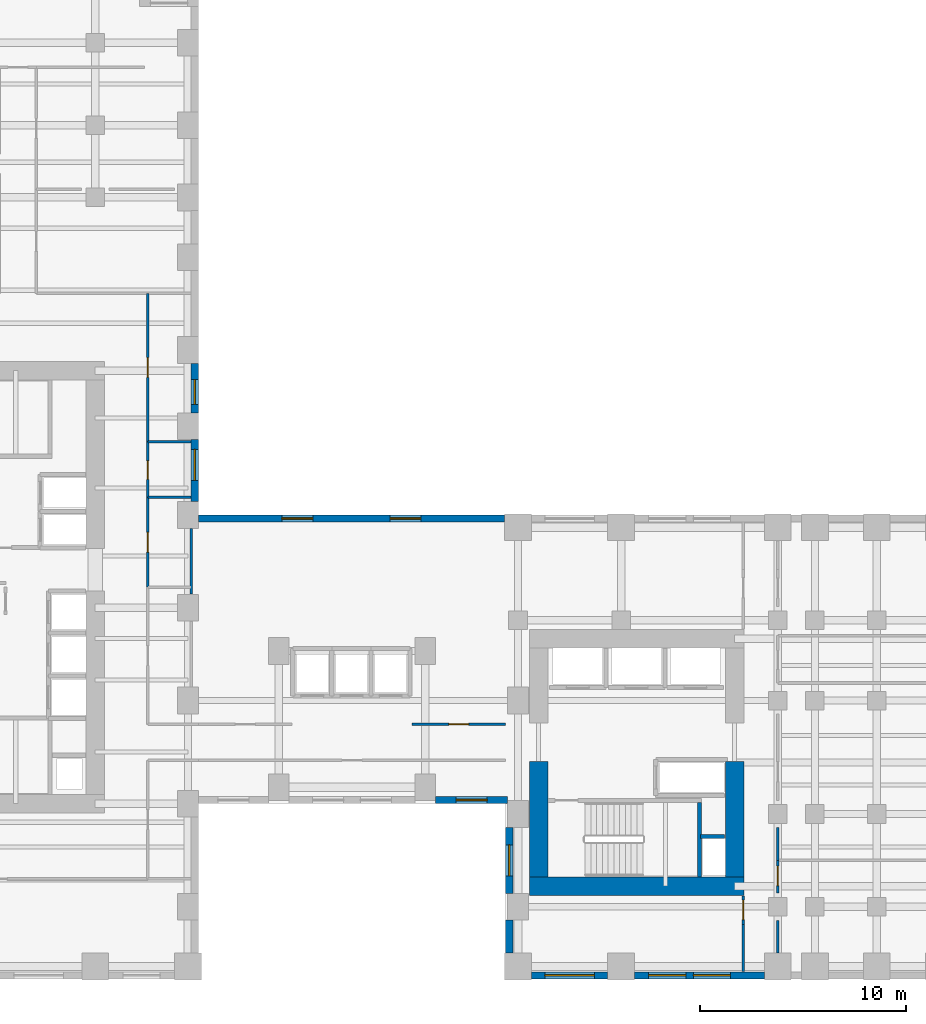
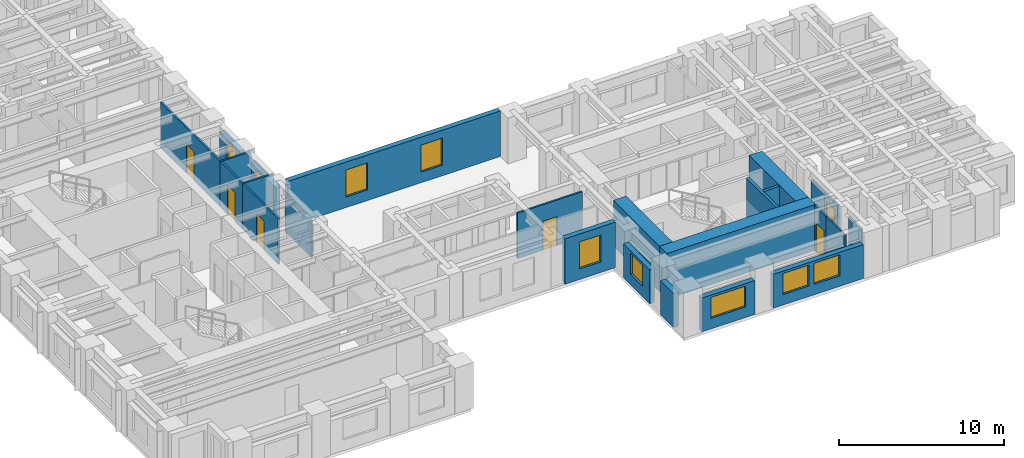
# One storey, part 6 of 11: 25 walls, 9 windows, 6 doors, 15 openings.
"""IFC4 building model written with IfcOpenShell, lengths in metres."""

from ifc_helpers import new_model, si_unit, direction, frame, frame_2d, origin, place, context, subcontext, project, spatial, rectangle, extrude, source, transform, mapped, material, layer, layer_set, type_object, element, fill, save


model = new_model("IFC4")

# Units and contexts
model_context = context("Model", 3, precision=1e-05, world=origin(), true_north=direction((0.0, 1.0)))
body_context = subcontext(model_context, "Body", "Model", "MODEL_VIEW")
ifc_project = project(units=[si_unit("LENGTHUNIT", "METRE"), si_unit("AREAUNIT", "SQUARE_METRE"), si_unit("VOLUMEUNIT", "CUBIC_METRE"), si_unit("PLANEANGLEUNIT", "RADIAN"), si_unit("MASSUNIT", "GRAM", prefix="KILO")], contexts=[model_context])

# Site, building, storey
site_placement = place(None, origin())
site = spatial("IfcSite", under=ifc_project, at=site_placement, CompositionType="ELEMENT")
building_placement = place(site_placement, origin())
building = spatial("IfcBuilding", under=site, at=building_placement, Name="Kharzan Plaza Tower", CompositionType="ELEMENT")
storey_placement = place(building_placement, frame((0.0, 0.0, 54.89990234375)))
storey = spatial("IfcBuildingStorey", under=building, at=storey_placement, Name="L14", CompositionType="ELEMENT", Elevation=54.89990234375)

# Wall, opening, window
ifc_material_1 = material(Name="Concrete C40/50", Category="concrete")
ifc_layer_1 = layer(ifc_material_1, 0.35009765625)
ifc_layer_set_1 = layer_set([ifc_layer_1], Name="Concrete C40/50")
wall_type_1 = type_object("IfcWallType", Name="WL-EXT-MAS-Z1", PredefinedType="SOLIDWALL", material=ifc_layer_set_1)
wall_1_placement = place(storey_placement, frame((30.998046875, 8.675048828125, 0.0), z_axis=(0.0, 0.0, 1.0), x_axis=(1.0, 0.0, 0.0)))
wall_1 = element("IfcWall", 1, at=wall_1_placement, inside=storey, type_object=wall_type_1, Name="L14 Masonry-Frame Exterior Wall 30", PredefinedType="SOLIDWALL", context=body_context, shape_type="SweptSolid", body=[
    extrude(rectangle(XDim=3.50390625, YDim=0.35009765625, at=frame_2d((1.751953125, 0.0))), origin(), (0.0, 0.0, 1.0), 3.364990234375),
])
opening_1_placement = place(wall_1_placement, frame((1.001953125, 0.0, 0.780029296875)))
opening_1 = element("IfcOpeningElement", 2, at=opening_1_placement, cuts=wall_1, Name="Opening W5", PredefinedType="OPENING", context=body_context, shape_type="SweptSolid", body=[
    extrude(rectangle(XDim=1.5, YDim=2.0, at=frame_2d((0.75, 1.0))), frame((0.0, 0.18505859375, 0.0), z_axis=(0.0, -1.0, 0.0), x_axis=(1.0, 0.0, 0.0)), (0.0, 0.0, 1.0), 0.3701171875),
])
ifc_material_2 = material(Name="Low-E Double Glazing", Category="glass")
window_type_1 = type_object("IfcWindowType", Name="WN-SLT-1500x2000", PartitioningType="SINGLE_PANEL", PredefinedType="WINDOW", material=ifc_material_2)
shared_shape_1 = source(origin(), body_context, "Body", "SweptSolid", [
    extrude(rectangle(XDim=1.5, YDim=2.0, at=frame_2d((0.75, 1.0))), frame((0.0, 0.030029296875, 0.0), z_axis=(0.0, -1.0, 0.0), x_axis=(1.0, 0.0, 0.0)), (0.0, 0.0, 1.0), 0.06005859375),
])
window_1_placement = place(opening_1_placement, origin())
window_1 = element("IfcWindow", 3, at=window_1_placement, inside=storey, type_object=window_type_1, Name="L14 Recessed Solar-Control Window 30-1", OverallHeight=2.0, OverallWidth=1.5, PartitioningType="SINGLE_PANEL", PredefinedType="WINDOW", context=body_context, shape_type="MappedRepresentation", body=[
    mapped(shared_shape_1, transform((0.0, 0.0, 0.0), x_axis=(1.0, 0.0, 0.0), y_axis=(0.0, 1.0, 0.0), z_axis=(0.0, 0.0, 1.0))),
])
fill(opening_1, window_1)

wall_2_placement = place(storey_placement, frame((34.574951171875, 7.35205078125, 0.0), z_axis=(0.0, 0.0, 1.0), x_axis=(0.0, -1.0, 0.0)))
wall_2 = element("IfcWall", 4, at=wall_2_placement, inside=storey, type_object=wall_type_1, Name="L14 Masonry-Frame Exterior Wall 31", PredefinedType="SOLIDWALL", context=body_context, shape_type="SweptSolid", body=[
    extrude(rectangle(XDim=3.2041015625, YDim=0.35009765625, at=frame_2d((1.60205078125, 0.0))), origin(), (0.0, 0.0, 1.0), 2.510009765625),
])
opening_2_placement = place(wall_2_placement, frame((0.85205078125, 0.0, 0.780029296875)))
opening_2 = element("IfcOpeningElement", 5, at=opening_2_placement, cuts=wall_2, Name="Opening W5", PredefinedType="OPENING", context=body_context, shape_type="SweptSolid", body=[
    extrude(rectangle(XDim=1.5, YDim=1.550048828125, at=frame_2d((0.75, 0.77490234375))), frame((0.0, 0.18505859375, 0.0), z_axis=(0.0, -1.0, 0.0), x_axis=(1.0, 0.0, 0.0)), (0.0, 0.0, 1.0), 0.3701171875),
])
shared_shape_2 = source(origin(), body_context, "Body", "SweptSolid", [
    extrude(rectangle(XDim=1.5, YDim=1.550048828125, at=frame_2d((0.75, 0.77490234375))), frame((0.0, 0.030029296875, 0.0), z_axis=(0.0, -1.0, 0.0), x_axis=(1.0, 0.0, 0.0)), (0.0, 0.0, 1.0), 0.06005859375),
])
window_2_placement = place(opening_2_placement, origin())
window_2 = element("IfcWindow", 6, at=window_2_placement, inside=storey, type_object=window_type_1, Name="L14 Recessed Solar-Control Window 31-1", OverallHeight=1.550048828125, OverallWidth=1.5, PartitioningType="SINGLE_PANEL", PredefinedType="WINDOW", context=body_context, shape_type="MappedRepresentation", body=[
    mapped(shared_shape_2, transform((0.0, 0.0, 0.0), x_axis=(1.0, 0.0, 0.0), y_axis=(0.0, 1.0, 0.0), z_axis=(0.0, 0.0, 1.0))),
])
fill(opening_2, window_2)

wall_3_placement = place(storey_placement, frame((35.64794921875, 0.175048828125, 0.0), z_axis=(0.0, 0.0, 1.0), x_axis=(1.0, 0.0, 0.0)))
wall_3 = element("IfcWall", 7, at=wall_3_placement, inside=storey, type_object=wall_type_1, Name="L14 Masonry-Frame Exterior Wall 33", PredefinedType="SOLIDWALL", context=body_context, shape_type="SweptSolid", body=[
    extrude(rectangle(XDim=3.7041015625, YDim=0.35009765625, at=frame_2d((1.85205078125, 0.0))), origin(), (0.0, 0.0, 1.0), 2.510009765625),
])
opening_3_placement = place(wall_3_placement, frame((0.652099609375, 0.0, 0.780029296875)))
opening_3 = element("IfcOpeningElement", 8, at=opening_3_placement, cuts=wall_3, Name="Opening W2", PredefinedType="OPENING", context=body_context, shape_type="SweptSolid", body=[
    extrude(rectangle(XDim=2.39990234375, YDim=1.550048828125, at=frame_2d((1.199951171875, 0.77490234375))), frame((0.0, 0.18505859375, 0.0), z_axis=(0.0, -1.0, 0.0), x_axis=(1.0, 0.0, 0.0)), (0.0, 0.0, 1.0), 0.3701171875),
])
window_type_2 = type_object("IfcWindowType", Name="WN-REC-2400x2100", PartitioningType="SINGLE_PANEL", PredefinedType="WINDOW", material=ifc_material_2)
shared_shape_3 = source(origin(), body_context, "Body", "SweptSolid", [
    extrude(rectangle(XDim=2.39990234375, YDim=1.550048828125, at=frame_2d((1.199951171875, 0.77490234375))), frame((0.0, 0.030029296875, 0.0), z_axis=(0.0, -1.0, 0.0), x_axis=(1.0, 0.0, 0.0)), (0.0, 0.0, 1.0), 0.06005859375),
])
window_3_placement = place(opening_3_placement, origin())
window_3 = element("IfcWindow", 9, at=window_3_placement, inside=storey, type_object=window_type_2, Name="L14 Wide Recessed Solar-Control Window 33-1", OverallHeight=1.550048828125, OverallWidth=2.39990234375, PartitioningType="SINGLE_PANEL", PredefinedType="WINDOW", context=body_context, shape_type="MappedRepresentation", body=[
    mapped(shared_shape_3, transform((0.0, 0.0, 0.0), x_axis=(1.0, 0.0, 0.0), y_axis=(0.0, 1.0, 0.0), z_axis=(0.0, 0.0, 1.0))),
])
fill(opening_3, window_3)

# Wall, openings, windows
wall_4_placement = place(storey_placement, frame((40.64794921875, 0.175048828125, 0.0), z_axis=(0.0, 0.0, 1.0), x_axis=(1.0, 0.0, 0.0)))
wall_4 = element("IfcWall", 10, at=wall_4_placement, inside=storey, type_object=wall_type_1, Name="L14 Masonry-Frame Exterior Wall 34", PredefinedType="SOLIDWALL", context=body_context, shape_type="SweptSolid", body=[
    extrude(rectangle(XDim=6.303955078125, YDim=0.35009765625, at=frame_2d((3.15185546875, 0.0))), origin(), (0.0, 0.0, 1.0), 2.510009765625),
])
opening_4_placement = place(wall_4_placement, frame((0.687255859375, 0.0, 0.780029296875)))
opening_4 = element("IfcOpeningElement", 11, at=opening_4_placement, cuts=wall_4, Name="Opening W1", PredefinedType="OPENING", context=body_context, shape_type="SweptSolid", body=[
    extrude(rectangle(XDim=1.800048828125, YDim=1.550048828125, at=frame_2d((0.89990234375, 0.77490234375))), frame((0.0, 0.18505859375, 0.0), z_axis=(0.0, -1.0, 0.0), x_axis=(1.0, 0.0, 0.0)), (0.0, 0.0, 1.0), 0.3701171875),
])
opening_5_placement = place(wall_4_placement, frame((2.854736328125, 0.0, 0.780029296875)))
opening_5 = element("IfcOpeningElement", 12, at=opening_5_placement, cuts=wall_4, Name="Opening W1", PredefinedType="OPENING", context=body_context, shape_type="SweptSolid", body=[
    extrude(rectangle(XDim=1.800048828125, YDim=1.550048828125, at=frame_2d((0.89990234375, 0.77490234375))), frame((0.0, 0.18505859375, 0.0), z_axis=(0.0, -1.0, 0.0), x_axis=(1.0, 0.0, 0.0)), (0.0, 0.0, 1.0), 0.3701171875),
])
window_type_3 = type_object("IfcWindowType", Name="WN-REC-1800x2100", PartitioningType="SINGLE_PANEL", PredefinedType="WINDOW", material=ifc_material_2)
shared_shape_4 = source(origin(), body_context, "Body", "SweptSolid", [
    extrude(rectangle(XDim=1.800048828125, YDim=1.550048828125, at=frame_2d((0.89990234375, 0.77490234375))), frame((0.0, 0.030029296875, 0.0), z_axis=(0.0, -1.0, 0.0), x_axis=(1.0, 0.0, 0.0)), (0.0, 0.0, 1.0), 0.06005859375),
])
window_4_placement = place(opening_4_placement, origin())
window_4 = element("IfcWindow", 13, at=window_4_placement, inside=storey, type_object=window_type_3, Name="L14 Recessed Solar-Control Window 34-1", OverallHeight=1.550048828125, OverallWidth=1.800048828125, PartitioningType="SINGLE_PANEL", PredefinedType="WINDOW", context=body_context, shape_type="MappedRepresentation", body=[
    mapped(shared_shape_4, transform((0.0, 0.0, 0.0), x_axis=(1.0, 0.0, 0.0), y_axis=(0.0, 1.0, 0.0), z_axis=(0.0, 0.0, 1.0))),
])
fill(opening_4, window_4)
window_5_placement = place(opening_5_placement, origin())
window_5 = element("IfcWindow", 14, at=window_5_placement, inside=storey, type_object=window_type_3, Name="L14 Recessed Solar-Control Window 34-2", OverallHeight=1.550048828125, OverallWidth=1.800048828125, PartitioningType="SINGLE_PANEL", PredefinedType="WINDOW", context=body_context, shape_type="MappedRepresentation", body=[
    mapped(shared_shape_4, transform((0.0, 0.0, 0.0), x_axis=(1.0, 0.0, 0.0), y_axis=(0.0, 1.0, 0.0), z_axis=(0.0, 0.0, 1.0))),
])
fill(opening_5, window_5)

wall_5_placement = place(storey_placement, frame((34.35205078125, 22.324951171875, 0.0), z_axis=(0.0, 0.0, 1.0), x_axis=(-1.0, 0.0, 0.0)))
wall_5 = element("IfcWall", 15, at=wall_5_placement, inside=storey, type_object=wall_type_1, Name="L14 Masonry-Frame Exterior Wall 53", PredefinedType="SOLIDWALL", context=body_context, shape_type="SweptSolid", body=[
    extrude(rectangle(XDim=14.85400390625, YDim=0.35009765625, at=frame_2d((7.427001953125, 0.0))), origin(), (0.0, 0.0, 1.0), 3.364990234375),
])
opening_6_placement = place(wall_5_placement, frame((4.05810546875, 0.0, 0.780029296875)))
opening_6 = element("IfcOpeningElement", 16, at=opening_6_placement, cuts=wall_5, Name="Opening W5", PredefinedType="OPENING", context=body_context, shape_type="SweptSolid", body=[
    extrude(rectangle(XDim=1.5, YDim=2.0, at=frame_2d((0.75, 1.0))), frame((0.0, 0.18505859375, 0.0), z_axis=(0.0, -1.0, 0.0), x_axis=(1.0, 0.0, 0.0)), (0.0, 0.0, 1.0), 0.3701171875),
])
opening_7_placement = place(wall_5_placement, frame((9.2958984375, 0.0, 0.780029296875)))
opening_7 = element("IfcOpeningElement", 17, at=opening_7_placement, cuts=wall_5, Name="Opening W5", PredefinedType="OPENING", context=body_context, shape_type="SweptSolid", body=[
    extrude(rectangle(XDim=1.5, YDim=2.0, at=frame_2d((0.75, 1.0))), frame((0.0, 0.18505859375, 0.0), z_axis=(0.0, -1.0, 0.0), x_axis=(1.0, 0.0, 0.0)), (0.0, 0.0, 1.0), 0.3701171875),
])
window_6_placement = place(opening_6_placement, origin())
window_6 = element("IfcWindow", 18, at=window_6_placement, inside=storey, type_object=window_type_1, Name="L14 Recessed Solar-Control Window 53-1", OverallHeight=2.0, OverallWidth=1.5, PartitioningType="SINGLE_PANEL", PredefinedType="WINDOW", context=body_context, shape_type="MappedRepresentation", body=[
    mapped(shared_shape_1, transform((0.0, 0.0, 0.0), x_axis=(1.0, 0.0, 0.0), y_axis=(0.0, 1.0, 0.0), z_axis=(0.0, 0.0, 1.0))),
])
fill(opening_6, window_6)
window_7_placement = place(opening_7_placement, origin())
window_7 = element("IfcWindow", 19, at=window_7_placement, inside=storey, type_object=window_type_1, Name="L14 Recessed Solar-Control Window 53-2", OverallHeight=2.0, OverallWidth=1.5, PartitioningType="SINGLE_PANEL", PredefinedType="WINDOW", context=body_context, shape_type="MappedRepresentation", body=[
    mapped(shared_shape_1, transform((0.0, 0.0, 0.0), x_axis=(1.0, 0.0, 0.0), y_axis=(0.0, 1.0, 0.0), z_axis=(0.0, 0.0, 1.0))),
])
fill(opening_7, window_7)

# Wall, opening, window
wall_6_placement = place(storey_placement, frame((19.324951171875, 23.14794921875, 0.0), z_axis=(0.0, 0.0, 1.0), x_axis=(0.0, 1.0, 0.0)))
wall_6 = element("IfcWall", 20, at=wall_6_placement, inside=storey, type_object=wall_type_1, Name="L14 Masonry-Frame Exterior Wall 54", PredefinedType="SOLIDWALL", context=body_context, shape_type="SweptSolid", body=[
    extrude(rectangle(XDim=3.004150390625, YDim=0.35009765625, at=frame_2d((1.501953125, 0.0))), origin(), (0.0, 0.0, 1.0), 2.510009765625),
])
opening_8_placement = place(wall_6_placement, frame((1.030517578125, 0.0, 0.780029296875)))
opening_8 = element("IfcOpeningElement", 21, at=opening_8_placement, cuts=wall_6, Name="Opening W5", PredefinedType="OPENING", context=body_context, shape_type="SweptSolid", body=[
    extrude(rectangle(XDim=1.5, YDim=1.550048828125, at=frame_2d((0.75, 0.77490234375))), frame((0.0, 0.18505859375, 0.0), z_axis=(0.0, -1.0, 0.0), x_axis=(1.0, 0.0, 0.0)), (0.0, 0.0, 1.0), 0.3701171875),
])
window_8_placement = place(opening_8_placement, origin())
window_8 = element("IfcWindow", 22, at=window_8_placement, inside=storey, type_object=window_type_1, Name="L14 Recessed Solar-Control Window 54-1", OverallHeight=1.550048828125, OverallWidth=1.5, PartitioningType="SINGLE_PANEL", PredefinedType="WINDOW", context=body_context, shape_type="MappedRepresentation", body=[
    mapped(shared_shape_2, transform((0.0, 0.0, 0.0), x_axis=(1.0, 0.0, 0.0), y_axis=(0.0, 1.0, 0.0), z_axis=(0.0, 0.0, 1.0))),
])
fill(opening_8, window_8)

wall_7_placement = place(storey_placement, frame((19.324951171875, 27.447998046875, 0.0), z_axis=(0.0, 0.0, 1.0), x_axis=(0.0, 1.0, 0.0)))
wall_7 = element("IfcWall", 23, at=wall_7_placement, inside=storey, type_object=wall_type_1, Name="L14 Masonry-Frame Exterior Wall 55", PredefinedType="SOLIDWALL", context=body_context, shape_type="SweptSolid", body=[
    extrude(rectangle(XDim=2.404052734375, YDim=0.35009765625, at=frame_2d((1.2021484375, 0.0))), origin(), (0.0, 0.0, 1.0), 2.510009765625),
])
opening_9_placement = place(wall_7_placement, frame((0.417236328125, 0.0, 0.780029296875)))
opening_9 = element("IfcOpeningElement", 24, at=opening_9_placement, cuts=wall_7, Name="Opening W3", PredefinedType="OPENING", context=body_context, shape_type="SweptSolid", body=[
    extrude(rectangle(XDim=1.199951171875, YDim=1.550048828125, at=frame_2d((0.60009765625, 0.77490234375))), frame((0.0, 0.18505859375, 0.0), z_axis=(0.0, -1.0, 0.0), x_axis=(1.0, 0.0, 0.0)), (0.0, 0.0, 1.0), 0.3701171875),
])
window_type_4 = type_object("IfcWindowType", Name="WN-REC-1200x2100", PartitioningType="SINGLE_PANEL", PredefinedType="WINDOW", material=ifc_material_2)
shared_shape_5 = source(origin(), body_context, "Body", "SweptSolid", [
    extrude(rectangle(XDim=1.199951171875, YDim=1.550048828125, at=frame_2d((0.60009765625, 0.77490234375))), frame((0.0, 0.030029296875, 0.0), z_axis=(0.0, -1.0, 0.0), x_axis=(1.0, 0.0, 0.0)), (0.0, 0.0, 1.0), 0.06005859375),
])
window_9_placement = place(opening_9_placement, origin())
window_9 = element("IfcWindow", 25, at=window_9_placement, inside=storey, type_object=window_type_4, Name="L14 Recessed Solar-Control Window 55-1", OverallHeight=1.550048828125, OverallWidth=1.199951171875, PartitioningType="SINGLE_PANEL", PredefinedType="WINDOW", context=body_context, shape_type="MappedRepresentation", body=[
    mapped(shared_shape_5, transform((0.0, 0.0, 0.0), x_axis=(1.0, 0.0, 0.0), y_axis=(0.0, 1.0, 0.0), z_axis=(0.0, 0.0, 1.0))),
])
fill(opening_9, window_9)

# Wall, opening, door
ifc_material_3 = material(Name="Fire-Rated Gypsum Board Partition", Category="gypsum")
ifc_layer_2 = layer(ifc_material_3, 0.125)
ifc_layer_set_2 = layer_set([ifc_layer_2], Name="Fire-Rated Gypsum Board Partition")
wall_type_2 = type_object("IfcWallType", Name="WL-INT-PART-125", PredefinedType="PARTITIONING", material=ifc_layer_set_2)
wall_8_placement = place(storey_placement, frame((17.050048828125, 19.0, 0.0), z_axis=(0.0, 0.0, 1.0), x_axis=(0.0, 1.0, 0.0)))
wall_8 = element("IfcWall", 26, at=wall_8_placement, inside=storey, type_object=wall_type_2, Name="L14 Interior Partition SH-AEWN2", PredefinedType="PARTITIONING", context=body_context, shape_type="SweptSolid", body=[
    extrude(rectangle(XDim=4.35009765625, YDim=0.125, at=frame_2d((2.175048828125, 0.0))), origin(), (0.0, 0.0, 1.0), 3.364990234375),
])
opening_10_placement = place(wall_8_placement, frame((1.699951171875, 0.0, 0.0)))
opening_10 = element("IfcOpeningElement", 27, at=opening_10_placement, cuts=wall_8, Name="Opening OD1", PredefinedType="OPENING", context=body_context, shape_type="SweptSolid", body=[
    extrude(rectangle(XDim=0.949951171875, YDim=2.14990234375, at=frame_2d((0.47509765625, 1.074951171875))), frame((0.0, 0.072509765625, 0.0), z_axis=(0.0, -1.0, 0.0), x_axis=(1.0, 0.0, 0.0)), (0.0, 0.0, 1.0), 0.14501953125),
])
ifc_material_4 = material(Name="Acoustic Solid-Core Stained Oak", Category="timber")
door_type_1 = type_object("IfcDoorType", Name="DR-OFF-SINGLE", OperationType="NOTDEFINED", PredefinedType="DOOR", material=ifc_material_4)
shared_shape_6 = source(origin(), body_context, "Body", "SweptSolid", [
    extrude(rectangle(XDim=0.949951171875, YDim=2.14990234375, at=frame_2d((0.47509765625, 1.074951171875))), frame((0.0, 0.02490234375, 0.0), z_axis=(0.0, -1.0, 0.0), x_axis=(1.0, 0.0, 0.0)), (0.0, 0.0, 1.0), 0.050048828125),
])
door_1_placement = place(opening_10_placement, origin())
door_1 = element("IfcDoor", 28, at=door_1_placement, inside=storey, type_object=door_type_1, Name="L14 Slot Studio Door", OperationType="SINGLE_SWING_LEFT", OverallHeight=2.14990234375, OverallWidth=0.949951171875, PredefinedType="DOOR", context=body_context, shape_type="MappedRepresentation", body=[
    mapped(shared_shape_6, transform((0.0, 0.0, 0.0), x_axis=(1.0, 0.0, 0.0), y_axis=(0.0, 1.0, 0.0), z_axis=(0.0, 0.0, 1.0))),
])
fill(opening_10, door_1)

wall_9_placement = place(storey_placement, frame((17.050048828125, 26.050048828125, 0.0), z_axis=(0.0, 0.0, 1.0), x_axis=(0.0, 1.0, 0.0)))
wall_9 = element("IfcWall", 29, at=wall_9_placement, inside=storey, type_object=wall_type_2, Name="L14 Interior Partition SH-AEWN3", PredefinedType="PARTITIONING", context=body_context, shape_type="SweptSolid", body=[
    extrude(rectangle(XDim=7.199951171875, YDim=0.125, at=frame_2d((3.60009765625, 0.0))), origin(), (0.0, 0.0, 1.0), 3.364990234375),
])
opening_11_placement = place(wall_9_placement, frame((3.125, 0.0, 0.0)))
opening_11 = element("IfcOpeningElement", 30, at=opening_11_placement, cuts=wall_9, Name="Opening OD1", PredefinedType="OPENING", context=body_context, shape_type="SweptSolid", body=[
    extrude(rectangle(XDim=0.949951171875, YDim=2.14990234375, at=frame_2d((0.47509765625, 1.074951171875))), frame((0.0, 0.072509765625, 0.0), z_axis=(0.0, -1.0, 0.0), x_axis=(1.0, 0.0, 0.0)), (0.0, 0.0, 1.0), 0.14501953125),
])
door_2_placement = place(opening_11_placement, origin())
door_2 = element("IfcDoor", 31, at=door_2_placement, inside=storey, type_object=door_type_1, Name="L14 Staff Tea Point Door", OperationType="SINGLE_SWING_LEFT", OverallHeight=2.14990234375, OverallWidth=0.949951171875, PredefinedType="DOOR", context=body_context, shape_type="MappedRepresentation", body=[
    mapped(shared_shape_6, transform((0.0, 0.0, 0.0), x_axis=(1.0, 0.0, 0.0), y_axis=(0.0, 1.0, 0.0), z_axis=(0.0, 0.0, 1.0))),
])
fill(opening_11, door_2)

wall_10_placement = place(storey_placement, frame((17.050048828125, 23.35009765625, 0.0), z_axis=(0.0, 0.0, 1.0), x_axis=(0.0, 1.0, 0.0)))
wall_10 = element("IfcWall", 32, at=wall_10_placement, inside=storey, type_object=wall_type_2, Name="L14 Interior Partition SH-AEWW", PredefinedType="PARTITIONING", context=body_context, shape_type="SweptSolid", body=[
    extrude(rectangle(XDim=2.699951171875, YDim=0.125, at=frame_2d((1.35009765625, 0.0))), origin(), (0.0, 0.0, 1.0), 3.364990234375),
])
opening_12_placement = place(wall_10_placement, frame((0.875, 0.0, 0.0)))
opening_12 = element("IfcOpeningElement", 33, at=opening_12_placement, cuts=wall_10, Name="Opening WD1", PredefinedType="OPENING", context=body_context, shape_type="SweptSolid", body=[
    extrude(rectangle(XDim=0.89990234375, YDim=2.14990234375, at=frame_2d((0.449951171875, 1.074951171875))), frame((0.0, 0.072509765625, 0.0), z_axis=(0.0, -1.0, 0.0), x_axis=(1.0, 0.0, 0.0)), (0.0, 0.0, 1.0), 0.14501953125),
])
ifc_material_5 = material(Name="Moisture-Resistant Fire-Rated Laminate", Category="timber")
door_type_2 = type_object("IfcDoorType", Name="DR-WC-900", OperationType="NOTDEFINED", PredefinedType="DOOR", material=ifc_material_5)
shared_shape_7 = source(origin(), body_context, "Body", "SweptSolid", [
    extrude(rectangle(XDim=0.89990234375, YDim=2.14990234375, at=frame_2d((0.449951171875, 1.074951171875))), frame((0.0, 0.02490234375, 0.0), z_axis=(0.0, -1.0, 0.0), x_axis=(1.0, 0.0, 0.0)), (0.0, 0.0, 1.0), 0.050048828125),
])
door_3_placement = place(opening_12_placement, origin())
door_3 = element("IfcDoor", 34, at=door_3_placement, inside=storey, type_object=door_type_2, Name="L14 Wing A Washroom Door", OperationType="SINGLE_SWING_RIGHT", OverallHeight=2.14990234375, OverallWidth=0.89990234375, PredefinedType="DOOR", context=body_context, shape_type="MappedRepresentation", body=[
    mapped(shared_shape_7, transform((0.0, 0.0, 0.0), x_axis=(1.0, 0.0, 0.0), y_axis=(0.0, 1.0, 0.0), z_axis=(0.0, 0.0, 1.0))),
])
fill(opening_12, door_3)

wall_11_placement = place(storey_placement, frame((47.60009765625, 4.159912109375, 0.0), z_axis=(0.0, 0.0, 1.0), x_axis=(0.0, 1.0, 0.0)))
wall_11 = element("IfcWall", 35, at=wall_11_placement, inside=storey, type_object=wall_type_2, Name="L14 Interior Partition SH-B3W0", PredefinedType="PARTITIONING", context=body_context, shape_type="SweptSolid", body=[
    extrude(rectangle(XDim=1.590087890625, YDim=0.125, at=frame_2d((0.794921875, 0.0))), origin(), (0.0, 0.0, 1.0), 2.670166015625),
])
opening_13_placement = place(wall_11_placement, frame((0.36669921875, 0.0, 0.0)))
opening_13 = element("IfcOpeningElement", 36, at=opening_13_placement, cuts=wall_11, Name="Opening OD1", PredefinedType="OPENING", context=body_context, shape_type="SweptSolid", body=[
    extrude(rectangle(XDim=0.949951171875, YDim=2.14990234375, at=frame_2d((0.47509765625, 1.074951171875))), frame((0.0, 0.072509765625, 0.0), z_axis=(0.0, -1.0, 0.0), x_axis=(1.0, 0.0, 0.0)), (0.0, 0.0, 1.0), 0.14501953125),
])
door_4_placement = place(opening_13_placement, origin())
door_4 = element("IfcDoor", 37, at=door_4_placement, inside=storey, type_object=door_type_1, Name="L14 Wing B Office 1 Door", OperationType="SINGLE_SWING_RIGHT", OverallHeight=2.14990234375, OverallWidth=0.949951171875, PredefinedType="DOOR", context=body_context, shape_type="MappedRepresentation", body=[
    mapped(shared_shape_6, transform((0.0, 0.0, 0.0), x_axis=(1.0, 0.0, 0.0), y_axis=(0.0, 1.0, 0.0), z_axis=(0.0, 0.0, 1.0))),
])
fill(opening_13, door_4)

wall_12_placement = place(storey_placement, frame((45.919921875, 2.64990234375, 0.0), z_axis=(0.0, 0.0, 1.0), x_axis=(0.0, 1.0, 0.0)))
wall_12 = element("IfcWall", 38, at=wall_12_placement, inside=storey, type_object=wall_type_2, Name="L14 Interior Partition SH-RBSE", PredefinedType="PARTITIONING", context=body_context, shape_type="SweptSolid", body=[
    extrude(rectangle(XDim=1.3701171875, YDim=0.125, at=frame_2d((0.68505859375, 0.0))), origin(), (0.0, 0.0, 1.0), 3.364990234375),
])
opening_14_placement = place(wall_12_placement, frame((0.22509765625, 0.0, 0.0)))
opening_14 = element("IfcOpeningElement", 39, at=opening_14_placement, cuts=wall_12, Name="Opening OD1", PredefinedType="OPENING", context=body_context, shape_type="SweptSolid", body=[
    extrude(rectangle(XDim=0.949951171875, YDim=2.14990234375, at=frame_2d((0.47509765625, 1.074951171875))), frame((0.0, 0.072509765625, 0.0), z_axis=(0.0, -1.0, 0.0), x_axis=(1.0, 0.0, 0.0)), (0.0, 0.0, 1.0), 0.14501953125),
])
door_5_placement = place(opening_14_placement, origin())
door_5 = element("IfcDoor", 40, at=door_5_placement, inside=storey, type_object=door_type_1, Name="L14 South-East Corner Office Door", OperationType="SINGLE_SWING_LEFT", OverallHeight=2.14990234375, OverallWidth=0.949951171875, PredefinedType="DOOR", context=body_context, shape_type="MappedRepresentation", body=[
    mapped(shared_shape_6, transform((0.0, 0.0, 0.0), x_axis=(1.0, 0.0, 0.0), y_axis=(0.0, 1.0, 0.0), z_axis=(0.0, 0.0, 1.0))),
])
fill(opening_14, door_5)

wall_13_placement = place(storey_placement, frame((29.85009765625, 12.35009765625, 0.0), z_axis=(0.0, 0.0, 1.0), x_axis=(1.0, 0.0, 0.0)))
wall_13 = element("IfcWall", 41, at=wall_13_placement, inside=storey, type_object=wall_type_2, Name="L14 Interior Partition SH-SPNE1", PredefinedType="PARTITIONING", context=body_context, shape_type="SweptSolid", body=[
    extrude(rectangle(XDim=4.5498046875, YDim=0.125, at=frame_2d((2.27490234375, 0.0))), origin(), (0.0, 0.0, 1.0), 3.364990234375),
])
opening_15_placement = place(wall_13_placement, frame((1.800048828125, 0.0, 0.0)))
opening_15 = element("IfcOpeningElement", 42, at=opening_15_placement, cuts=wall_13, Name="Opening OD1", PredefinedType="OPENING", context=body_context, shape_type="SweptSolid", body=[
    extrude(rectangle(XDim=0.949951171875, YDim=2.14990234375, at=frame_2d((0.47509765625, 1.074951171875))), frame((0.0, 0.072509765625, 0.0), z_axis=(0.0, -1.0, 0.0), x_axis=(1.0, 0.0, 0.0)), (0.0, 0.0, 1.0), 0.14501953125),
])
door_6_placement = place(opening_15_placement, origin())
door_6 = element("IfcDoor", 43, at=door_6_placement, inside=storey, type_object=door_type_1, Name="L14 North-East Spine Door", OperationType="SINGLE_SWING_RIGHT", OverallHeight=2.14990234375, OverallWidth=0.949951171875, PredefinedType="DOOR", context=body_context, shape_type="MappedRepresentation", body=[
    mapped(shared_shape_6, transform((0.0, 0.0, 0.0), x_axis=(1.0, 0.0, 0.0), y_axis=(0.0, 1.0, 0.0), z_axis=(0.0, 0.0, 1.0))),
])
fill(opening_15, door_6)

# Walls
shared_shape_8 = source(origin(), body_context, "Body", "SweptSolid", [
    extrude(rectangle(XDim=1.60400390625, YDim=0.35009765625, at=frame_2d((0.802001953125, 0.0))), origin(), (0.0, 0.0, 1.0), 2.510009765625),
])
wall_14_placement = place(storey_placement, frame((34.574951171875, 2.85205078125, 0.0), z_axis=(0.0, 0.0, 1.0), x_axis=(0.0, -1.0, 0.0)))
element("IfcWall", 44, at=wall_14_placement, inside=storey, type_object=wall_type_1, Name="L14 Masonry-Frame Exterior Wall 32", PredefinedType="SOLIDWALL", context=body_context, shape_type="MappedRepresentation", body=[
    mapped(shared_shape_8, transform((0.0, 0.0, 0.0), x_axis=(1.0, 0.0, 0.0), y_axis=(0.0, 1.0, 0.0), z_axis=(0.0, 0.0, 1.0))),
])
shared_shape_9 = source(origin(), body_context, "Body", "SweptSolid", [
    extrude(rectangle(XDim=2.2978515625, YDim=0.125, at=frame_2d((1.14892578125, 0.0))), origin(), (0.0, 0.0, 1.0), 3.364990234375),
])
wall_15_placement = place(storey_placement, frame((45.919921875, 0.35205078125, 0.0), z_axis=(0.0, 0.0, 1.0), x_axis=(0.0, 1.0, 0.0)))
element("IfcWall", 45, at=wall_15_placement, inside=storey, type_object=wall_type_2, Name="L14 Interior Partition SH-RBSE0", PredefinedType="PARTITIONING", context=body_context, shape_type="MappedRepresentation", body=[
    mapped(shared_shape_9, transform((0.0, 0.0, 0.0), x_axis=(1.0, 0.0, 0.0), y_axis=(0.0, 1.0, 0.0), z_axis=(0.0, 0.0, 1.0))),
])
ifc_layer_3 = layer(ifc_material_1, 0.199951171875)
ifc_layer_set_3 = layer_set([ifc_layer_3], Name="Concrete C40/50")
wall_type_3 = type_object("IfcWallType", Name="WL-INT-SHAFT-200", PredefinedType="PARTITIONING", material=ifc_layer_set_3)
shared_shape_10 = source(origin(), body_context, "Body", "SweptSolid", [
    extrude(rectangle(XDim=1.169921875, YDim=0.199951171875, at=frame_2d((0.5849609375, 0.0))), origin(), (0.0, 0.0, 1.0), 3.364990234375),
])
wall_16_placement = place(storey_placement, frame((43.85009765625, 6.89990234375, 0.0), z_axis=(0.0, 0.0, 1.0), x_axis=(1.0, 0.0, 0.0)))
element("IfcWall", 46, at=wall_16_placement, inside=storey, type_object=wall_type_3, Name="L14 Interior Partition CB-RSRB-N", PredefinedType="PARTITIONING", context=body_context, shape_type="MappedRepresentation", body=[
    mapped(shared_shape_10, transform((0.0, 0.0, 0.0), x_axis=(1.0, 0.0, 0.0), y_axis=(0.0, 1.0, 0.0), z_axis=(0.0, 0.0, 1.0))),
])
shared_shape_11 = source(origin(), body_context, "Body", "SweptSolid", [
    extrude(rectangle(XDim=2.097900390625, YDim=0.125, at=frame_2d((1.048828125, 0.0))), origin(), (0.0, 0.0, 1.0), 3.364990234375),
])
for number, where, z_axis, x_axis, name in (
    (47, (17.050048828125, 23.35009765625, 0.0), (0.0, 0.0, 1.0), (1.0, 0.0, 0.0), "L14 Interior Partition SH-AEH-233"),
    (48, (17.050048828125, 26.050048828125, 0.0), (0.0, 0.0, 1.0), (1.0, 0.0, 0.0), "L14 Interior Partition SH-AEH-260"),
):
    element("IfcWall", number, at=place(storey_placement, frame(where, z_axis=z_axis, x_axis=x_axis)), inside=storey, type_object=wall_type_2, Name=name, PredefinedType="PARTITIONING", context=body_context, shape_type="MappedRepresentation", body=[
        mapped(shared_shape_11, transform((0.0, 0.0, 0.0), x_axis=(1.0, 0.0, 0.0), y_axis=(0.0, 1.0, 0.0), z_axis=(0.0, 0.0, 1.0))),
    ])
ifc_material_6 = material(Name="Concrete C60/75", Category="concrete")
ifc_layer_4 = layer(ifc_material_6, 0.89990234375)
ifc_layer_set_4 = layer_set([ifc_layer_4], Name="Concrete C60/75")
wall_type_4 = type_object("IfcWallType", Name="WL-CORE-900", PredefinedType="SHEAR", material=ifc_layer_set_4)
shared_shape_12 = source(origin(), body_context, "Body", "SweptSolid", [
    extrude(rectangle(XDim=5.60009765625, YDim=0.89990234375, at=frame_2d((2.800048828125, 0.0))), origin(), (0.0, 0.0, 1.0), 3.380126953125),
])
for number, where, z_axis, x_axis, name in (
    (49, (45.5, 4.949951171875, 0.0), (0.0, 0.0, 1.0), (0.0, 1.0, 0.0), "L14 CORE-B east shear pier 1"),
    (50, (36.0, 4.949951171875, 0.0), (0.0, 0.0, 1.0), (0.0, 1.0, 0.0), "L14 CORE-B west shear pier 1"),
):
    element("IfcWall", number, at=place(storey_placement, frame(where, z_axis=z_axis, x_axis=x_axis)), inside=storey, type_object=wall_type_4, Name=name, PredefinedType="SHEAR", context=body_context, shape_type="MappedRepresentation", body=[
        mapped(shared_shape_12, transform((0.0, 0.0, 0.0), x_axis=(1.0, 0.0, 0.0), y_axis=(0.0, 1.0, 0.0), z_axis=(0.0, 0.0, 1.0))),
    ])
shared_shape_13 = source(origin(), body_context, "Body", "SweptSolid", [
    extrude(rectangle(XDim=10.39990234375, YDim=0.89990234375, at=frame_2d((5.199951171875, 0.0))), origin(), (0.0, 0.0, 1.0), 3.380126953125),
])
wall_17_placement = place(storey_placement, frame((35.550048828125, 4.5, 0.0), z_axis=(0.0, 0.0, 1.0), x_axis=(1.0, 0.0, 0.0)))
element("IfcWall", 51, at=wall_17_placement, inside=storey, type_object=wall_type_4, Name="L14 CORE-B south RC shear wall", PredefinedType="SHEAR", context=body_context, shape_type="MappedRepresentation", body=[
    mapped(shared_shape_13, transform((0.0, 0.0, 0.0), x_axis=(1.0, 0.0, 0.0), y_axis=(0.0, 1.0, 0.0), z_axis=(0.0, 0.0, 1.0))),
])
shared_shape_14 = source(origin(), body_context, "Body", "SweptSolid", [
    extrude(rectangle(XDim=3.18017578125, YDim=0.125, at=frame_2d((1.590087890625, 0.0))), origin(), (0.0, 0.0, 1.0), 2.670166015625),
])
wall_18_placement = place(storey_placement, frame((19.14990234375, 18.659912109375, 0.0), z_axis=(0.0, 0.0, 1.0), x_axis=(0.0, 1.0, 0.0)))
element("IfcWall", 52, at=wall_18_placement, inside=storey, type_object=wall_type_2, Name="L14 Interior Partition SH-AEN-DIV-S2", PredefinedType="PARTITIONING", context=body_context, shape_type="MappedRepresentation", body=[
    mapped(shared_shape_14, transform((0.0, 0.0, 0.0), x_axis=(1.0, 0.0, 0.0), y_axis=(0.0, 1.0, 0.0), z_axis=(0.0, 0.0, 1.0))),
])
ifc_material_7 = material(Name="Concrete C50/60", Category="concrete")
ifc_layer_5 = layer(ifc_material_7, 0.199951171875)
ifc_layer_set_5 = layer_set([ifc_layer_5], Name="Concrete C50/60")
wall_type_5 = type_object("IfcWallType", Name="WL-SHAFT-RC200", PredefinedType="SHEAR", material=ifc_layer_set_5)
shared_shape_15 = source(origin(), body_context, "Body", "SweptSolid", [
    extrude(rectangle(XDim=3.60302734375, YDim=0.199951171875, at=frame_2d((1.801513671875, 0.0))), origin(), (0.0, 0.0, 1.0), 3.380126953125),
])
wall_19_placement = place(storey_placement, frame((43.804931640625, 4.951904296875, 0.0), z_axis=(0.0, 0.0, 1.0), x_axis=(0.0, 1.0, 0.0)))
element("IfcWall", 53, at=wall_19_placement, inside=storey, type_object=wall_type_5, Name="L14 Stair ST-3 East RC Shaft Wall", PredefinedType="SHEAR", context=body_context, shape_type="MappedRepresentation", body=[
    mapped(shared_shape_15, transform((0.0, 0.0, 0.0), x_axis=(1.0, 0.0, 0.0), y_axis=(0.0, 1.0, 0.0), z_axis=(0.0, 0.0, 1.0))),
])
shared_shape_16 = source(origin(), body_context, "Body", "SweptSolid", [
    extrude(rectangle(XDim=1.580078125, YDim=0.125, at=frame_2d((0.7900390625, 0.0))), origin(), (0.0, 0.0, 1.0), 2.670166015625),
])
wall_20_placement = place(storey_placement, frame((47.60009765625, 1.260009765625, 0.0), z_axis=(0.0, 0.0, 1.0), x_axis=(0.0, 1.0, 0.0)))
element("IfcWall", 54, at=wall_20_placement, inside=storey, type_object=wall_type_2, Name="L14 Interior Partition SH-B3W0S", PredefinedType="PARTITIONING", context=body_context, shape_type="MappedRepresentation", body=[
    mapped(shared_shape_16, transform((0.0, 0.0, 0.0), x_axis=(1.0, 0.0, 0.0), y_axis=(0.0, 1.0, 0.0), z_axis=(0.0, 0.0, 1.0))),
])
shared_shape_17 = source(origin(), body_context, "Body", "SweptSolid", [
    extrude(rectangle(XDim=1.590087890625, YDim=0.125, at=frame_2d((0.794921875, 0.0))), origin(), (0.0, 0.0, 1.0), 2.670166015625),
])
wall_21_placement = place(storey_placement, frame((47.60009765625, 5.75, 0.0), z_axis=(0.0, 0.0, 1.0), x_axis=(0.0, 1.0, 0.0)))
element("IfcWall", 55, at=wall_21_placement, inside=storey, type_object=wall_type_2, Name="L14 Interior Partition SH-B3W1-S1", PredefinedType="PARTITIONING", context=body_context, shape_type="MappedRepresentation", body=[
    mapped(shared_shape_17, transform((0.0, 0.0, 0.0), x_axis=(1.0, 0.0, 0.0), y_axis=(0.0, 1.0, 0.0), z_axis=(0.0, 0.0, 1.0))),
])

save(model, "model.ifc")
